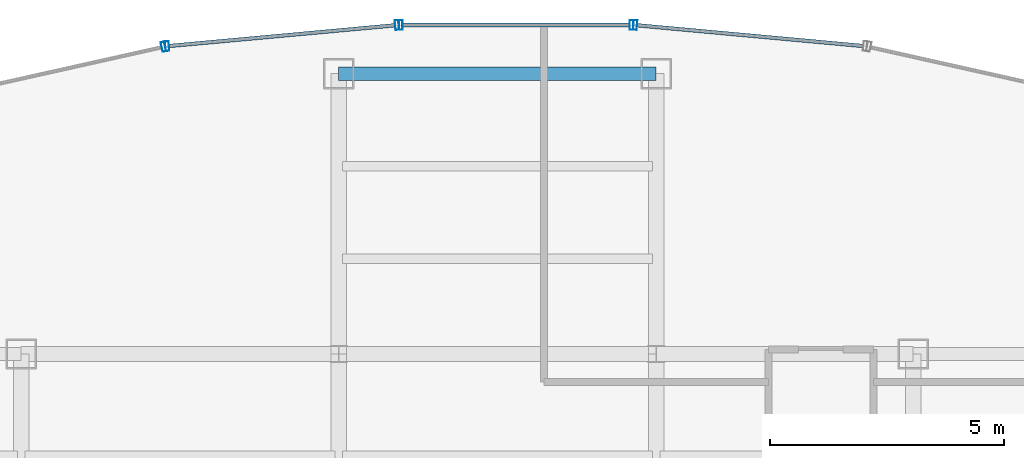
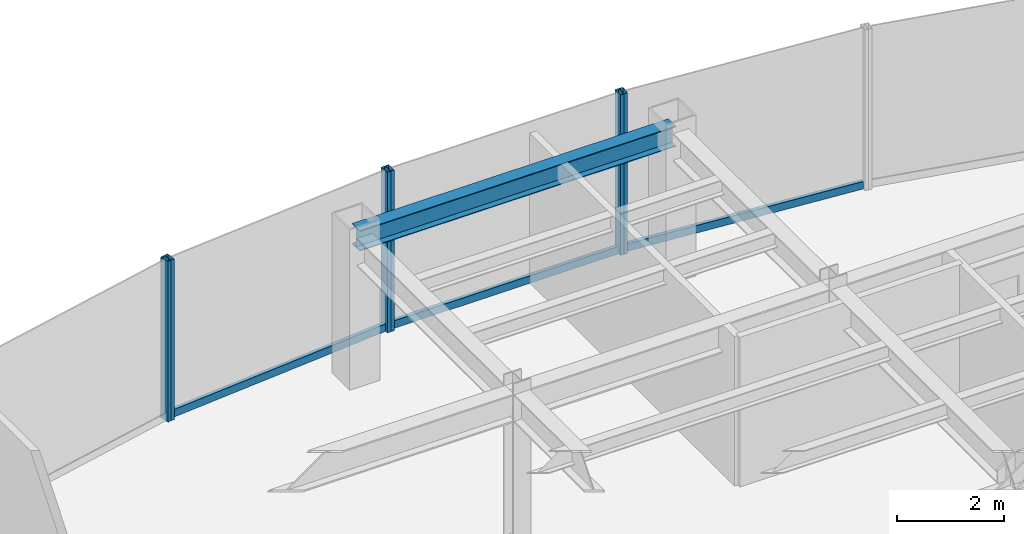
# One storey, part 16 of 25: 9 members, 1 beam, 4 elements without a shape of their own.
"""IFC4 building model written with IfcOpenShell, lengths in metres."""

from ifc_helpers import new_model, si_unit, derived_unit, direction, frame, origin, origin_2d, place, context, subcontext, project, spatial, hollow_rectangle, i_section, extrude, source, transform, mapped, material, material_profile, profile_set, type_object, element, aggregate, save


model = new_model("IFC4")

# Units and contexts
model_context = context("Model", 3, precision=1e-05, world=origin(), true_north=direction((0.0, 1.0)))
body_context = subcontext(model_context, "Body", "Model", "MODEL_VIEW")
ifc_project = project(units=[si_unit("LENGTHUNIT", "METRE"), si_unit("AREAUNIT", "SQUARE_METRE"), si_unit("VOLUMEUNIT", "CUBIC_METRE"), si_unit("PLANEANGLEUNIT", "RADIAN"), si_unit("MASSUNIT", "GRAM", prefix="KILO"), derived_unit("THERMALTRANSMITTANCEUNIT", [(si_unit("POWERUNIT", "WATT"), 1), (si_unit("LENGTHUNIT", "METRE"), -2), (si_unit("THERMODYNAMICTEMPERATUREUNIT", "KELVIN"), -1)])], contexts=[model_context])

# Site, building, storey
site_placement = place(None, origin())
site = spatial("IfcSite", under=ifc_project, at=site_placement, CompositionType="ELEMENT")
building_placement = place(site_placement, origin())
building = spatial("IfcBuilding", under=site, at=building_placement, Name="Skarnbrae Concourse Arena and Tower", CompositionType="ELEMENT")
storey_placement = place(building_placement, frame((0.0, 0.0, 151.550048828125)))
storey = spatial("IfcBuildingStorey", under=building, at=storey_placement, Name="L38", CompositionType="ELEMENT", Elevation=151.550048828125)

# Beam
ifc_material_1 = material(Name="Steel CSA G40.21 350W", Category="steel")
ifc_material_profile_1 = material_profile(ifc_material_1, i_section(OverallWidth=0.280029296875, OverallDepth=0.462890625, WebThickness=0.0107421875, FlangeThickness=0.017333984375, at=origin_2d()), Name="W460X113")
ifc_profile_set_1 = profile_set([ifc_material_profile_1], Name="Steel CSA G40.21 350W")
beam_type = type_object("IfcBeamType", Name="BM-SPAN-W460X113", PredefinedType="SPANDREL", material=ifc_profile_set_1)
shared_shape_1 = source(origin(), body_context, "Body", "SweptSolid", [
    extrude(i_section(OverallWidth=0.280029296875, OverallDepth=0.462890625, WebThickness=0.0107421875, FlangeThickness=0.017333984375, at=origin_2d()), origin(), (0.0, 0.0, 1.0), 6.800048828125),
])
beam_placement = place(storey_placement, frame((21.199951171875, 40.39990234375, 3.16845703125), z_axis=(1.0, 0.0, 0.0), x_axis=(0.0, 1.0, 0.0)))
element("IfcBeam", 1, at=beam_placement, inside=storey, type_object=beam_type, Name="L38 Perimeter spandrel Y40.4-1", PredefinedType="SPANDREL", context=body_context, shape_type="MappedRepresentation", body=[
    mapped(shared_shape_1, transform((0.0, 0.0, 0.0))),
])

# Curtain wall, member
ifc_material_2 = material(Name="Bronze anodised aluminium 6063-T6", Category="aluminium")
curtain_wall_type = type_object("IfcCurtainWallType", Name="CW-SYS-03-PORTAL", PredefinedType="USERDEFINED", material=ifc_material_2)
curtain_wall_1_placement = place(storey_placement, origin())
curtain_wall_1 = element("IfcCurtainWall", 2, at=curtain_wall_1_placement, inside=storey, type_object=curtain_wall_type, Name="L38 Unitised curtain wall CW-L38-E10", ObjectType="UNITISED CURTAIN WALL", PredefinedType="USERDEFINED")
ifc_material_profile_2 = material_profile(ifc_material_2, hollow_rectangle(XDim=0.080078125, YDim=0.2099609375, WallThickness=0.00439453125, at=origin_2d()), Name="ALU-MULL-80X210")
ifc_profile_set_2 = profile_set([ifc_material_profile_2], Name="Bronze anodised aluminium 6063-T6")
member_type_1 = type_object("IfcMemberType", Name="CWM-CW-03", PredefinedType="MULLION", material=ifc_profile_set_2)
shared_shape_2 = source(origin(), body_context, "Body", "SweptSolid", [
    extrude(hollow_rectangle(XDim=0.080078125, YDim=0.2099609375, WallThickness=0.00439453125, at=origin_2d()), origin(), (0.0, 0.0, 1.0), 3.64990234375),
])
member_1_placement = place(storey_placement, frame((27.551025390625, 41.44189453125, 0.0), z_axis=(0.0, 0.0, 1.0), x_axis=(-0.995819926016, 0.091338244731, 0.0)))
member_1 = element("IfcMember", 3, at=member_1_placement, type_object=member_type_1, Name="CW-L38-E10 Mullion 2", PredefinedType="MULLION", context=body_context, shape_type="MappedRepresentation", body=[
    mapped(shared_shape_2, transform((0.0, 0.0, 0.0))),
])

# Curtain wall, members
curtain_wall_2_placement = place(storey_placement, origin())
curtain_wall_2 = element("IfcCurtainWall", 4, at=curtain_wall_2_placement, inside=storey, type_object=curtain_wall_type, Name="L38 Unitised curtain wall CW-L38-E11", ObjectType="UNITISED CURTAIN WALL", PredefinedType="USERDEFINED")
member_2_placement = place(storey_placement, frame((27.47119140625, 41.445556640625, 0.0), z_axis=(0.0, 0.0, 1.0), x_axis=(-1.0, 0.0, 0.0)))
member_2 = element("IfcMember", 5, at=member_2_placement, type_object=member_type_1, Name="CW-L38-E11 Mullion 1", PredefinedType="MULLION", context=body_context, shape_type="MappedRepresentation", body=[
    mapped(shared_shape_2, transform((0.0, 0.0, 0.0))),
])
member_3_placement = place(storey_placement, frame((22.52880859375, 41.445556640625, 0.0), z_axis=(0.0, 0.0, 1.0), x_axis=(-1.0, 0.0, 0.0)))
member_3 = element("IfcMember", 6, at=member_3_placement, type_object=member_type_1, Name="CW-L38-E11 Mullion 2", PredefinedType="MULLION", context=body_context, shape_type="MappedRepresentation", body=[
    mapped(shared_shape_2, transform((0.0, 0.0, 0.0))),
])

curtain_wall_3_placement = place(storey_placement, origin())
curtain_wall_3 = element("IfcCurtainWall", 7, at=curtain_wall_3_placement, inside=storey, type_object=curtain_wall_type, Name="L38 Unitised curtain wall CW-L38-E12", ObjectType="UNITISED CURTAIN WALL", PredefinedType="USERDEFINED")
member_4_placement = place(storey_placement, frame((22.448974609375, 41.44189453125, 0.0), z_axis=(0.0, 0.0, 1.0), x_axis=(-0.995819926016, -0.091338244731, 0.0)))
member_4 = element("IfcMember", 8, at=member_4_placement, type_object=member_type_1, Name="CW-L38-E12 Mullion 1", PredefinedType="MULLION", context=body_context, shape_type="MappedRepresentation", body=[
    mapped(shared_shape_2, transform((0.0, 0.0, 0.0))),
])
member_5_placement = place(storey_placement, frame((17.527587890625, 40.990478515625, 0.0), z_axis=(0.0, 0.0, 1.0), x_axis=(-0.995819926016, -0.091338244731, 0.0)))
member_5 = element("IfcMember", 9, at=member_5_placement, type_object=member_type_1, Name="CW-L38-E12 Mullion 2", PredefinedType="MULLION", context=body_context, shape_type="MappedRepresentation", body=[
    mapped(shared_shape_2, transform((0.0, 0.0, 0.0))),
])

# Curtain wall, member
curtain_wall_4_placement = place(storey_placement, origin())
curtain_wall_4 = element("IfcCurtainWall", 10, at=curtain_wall_4_placement, inside=storey, type_object=curtain_wall_type, Name="L38 Unitised curtain wall CW-L38-E13", ObjectType="UNITISED CURTAIN WALL", PredefinedType="USERDEFINED")
member_6_placement = place(storey_placement, frame((17.44873046875, 40.978271484375, 0.0), z_axis=(0.0, 0.0, 1.0), x_axis=(-0.975936175393, -0.218056372433, 0.0)))
member_6 = element("IfcMember", 11, at=member_6_placement, type_object=member_type_1, Name="CW-L38-E13 Mullion 1", PredefinedType="MULLION", context=body_context, shape_type="MappedRepresentation", body=[
    mapped(shared_shape_2, transform((0.0, 0.0, 0.0))),
])
aggregate(curtain_wall_4, [member_6])

# Member
ifc_material_profile_3 = material_profile(ifc_material_2, hollow_rectangle(XDim=0.080078125, YDim=0.169921875, WallThickness=0.00439453125, at=origin_2d()), Name="ALU-TRAN-80X170")
ifc_profile_set_3 = profile_set([ifc_material_profile_3], Name="Bronze anodised aluminium 6063-T6")
member_type_2 = type_object("IfcMemberType", Name="CWT-CW-03", PredefinedType="USERDEFINED", material=ifc_profile_set_3)
shared_shape_3 = source(origin(), body_context, "Body", "SweptSolid", [
    extrude(hollow_rectangle(XDim=0.080078125, YDim=0.169921875, WallThickness=0.00439453125, at=origin_2d()), origin(), (0.0, 0.0, 1.0), 4.86181640625),
])
member_7_placement = place(storey_placement, frame((32.4326171875, 40.994140625, 0.0849609375), z_axis=(-0.995819615433, 0.091341630804, 0.0), x_axis=(-0.091341630804, -0.995819615433, 0.0)))
member_7 = element("IfcMember", 12, at=member_7_placement, type_object=member_type_2, Name="CW-L38-E10 Transom 1", ObjectType="TRANSOM", PredefinedType="USERDEFINED", context=body_context, shape_type="MappedRepresentation", body=[
    mapped(shared_shape_3, transform((0.0, 0.0, 0.0))),
])

aggregate(curtain_wall_1, [member_1, member_7])

member_8_placement = place(storey_placement, frame((22.408935546875, 41.438232421875, 0.0849609375), z_axis=(-0.995819615433, -0.091341630804, 0.0), x_axis=(0.091341630804, -0.995819615433, 0.0)))
member_8 = element("IfcMember", 13, at=member_8_placement, type_object=member_type_2, Name="CW-L38-E12 Transom 1", ObjectType="TRANSOM", PredefinedType="USERDEFINED", context=body_context, shape_type="MappedRepresentation", body=[
    mapped(shared_shape_3, transform((0.0, 0.0, 0.0))),
])

aggregate(curtain_wall_3, [member_4, member_5, member_8])

shared_shape_4 = source(origin(), body_context, "Body", "SweptSolid", [
    extrude(hollow_rectangle(XDim=0.080078125, YDim=0.169921875, WallThickness=0.00439453125, at=origin_2d()), origin(), (0.0, 0.0, 1.0), 4.86279296875),
])
member_9_placement = place(storey_placement, frame((27.431396484375, 41.445556640625, 0.0849609375), z_axis=(-1.0, 0.0, 0.0), x_axis=(0.0, -1.0, 0.0)))
member_9 = element("IfcMember", 14, at=member_9_placement, type_object=member_type_2, Name="CW-L38-E11 Transom 1", ObjectType="TRANSOM", PredefinedType="USERDEFINED", context=body_context, shape_type="MappedRepresentation", body=[
    mapped(shared_shape_4, transform((0.0, 0.0, 0.0))),
])

aggregate(curtain_wall_2, [member_2, member_3, member_9])

save(model, "model.ifc")
